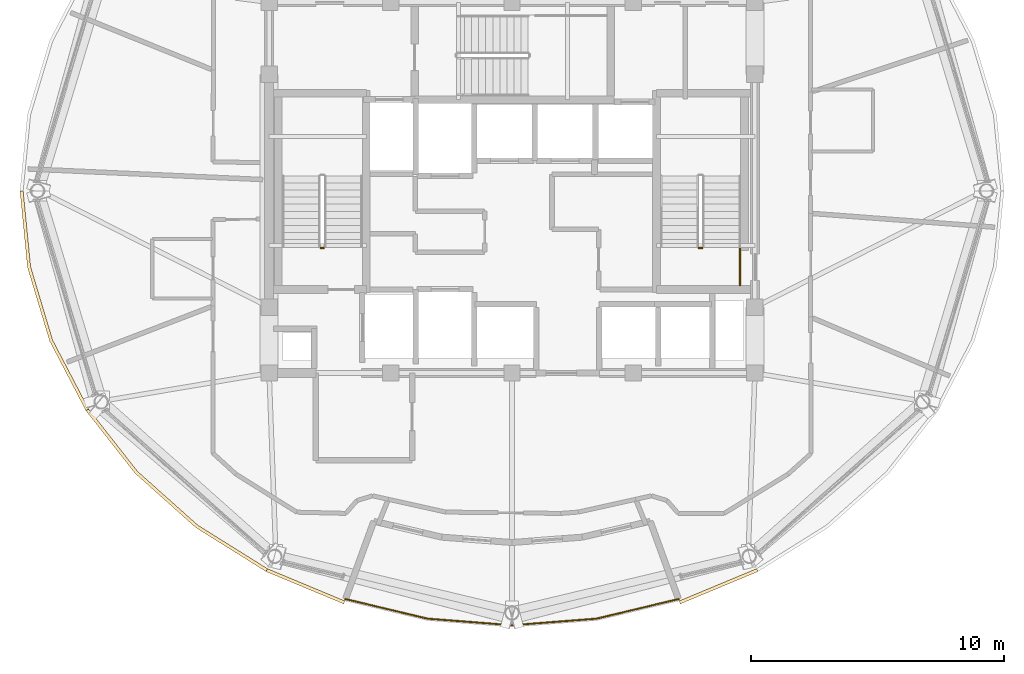
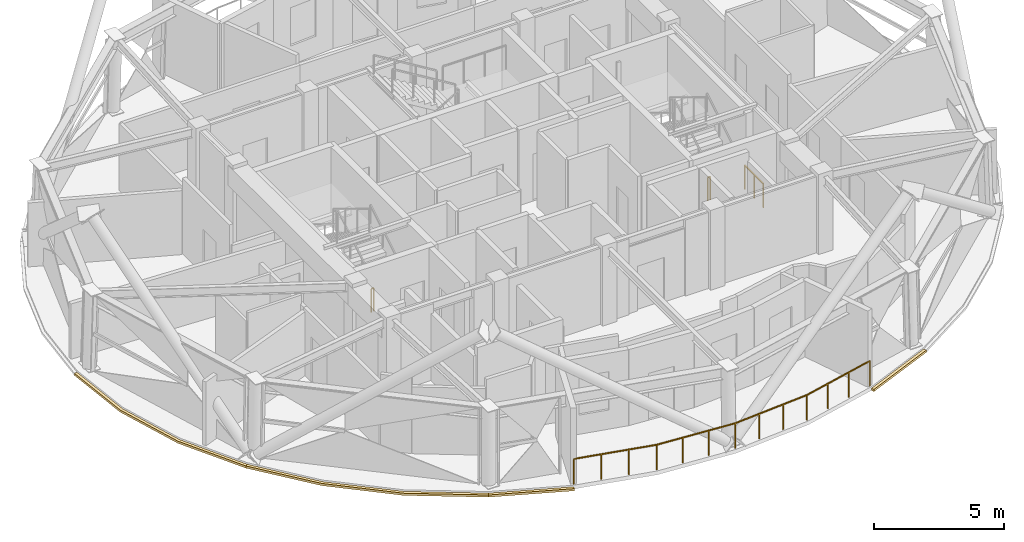
# One storey, part 11 of 13: 4 coverings, 4 railings.
"""IFC4 building model written with IfcOpenShell, lengths in metres."""

import ifcopenshell
import ifcopenshell.guid

model = None  # the IFC model being written
_history = None  # IfcOwnerHistory: only IFC2X3 demands one
_inside = {}  # id of a spatial element -> (the spatial element, [elements in it])
_under = {}  # id of a project, library or spatial element -> (it, [spatial elements below it])
_declared = {}  # id of a project -> (the project, [libraries it declares])
_typed = {}  # id of a type object -> (the type object, [elements of that type])
_made_of = {}  # id of a material, layer set ... -> (it, [elements and type objects made of it])


def new_model(schema):
    """Start an empty IFC model of exactly this schema.

    Asked for "IFC4X3", IfcOpenShell would pick the latest addendum, in which some entities
    have other attributes; the version numbers below select the first issue.
    IFC2X3 requires an IfcOwnerHistory on every rooted entity: one is made here for all.
    """
    global model, _history
    if schema == "IFC4X3":
        model = ifcopenshell.file(schema_version=(4, 3, 0, 0))
    else:
        model = ifcopenshell.file(schema=schema)
    _inside.clear()
    _under.clear()
    _declared.clear()
    _typed.clear()
    _made_of.clear()
    _history = None
    if model.schema == "IFC2X3":
        org = make("IfcOrganization", Name="unknown")
        user = make(
            "IfcPersonAndOrganization",
            ThePerson=make("IfcPerson", FamilyName="unknown"),
            TheOrganization=org,
        )
        app = make(
            "IfcApplication",
            ApplicationDeveloper=org,
            Version="unknown",
            ApplicationFullName="unknown",
            ApplicationIdentifier="unknown",
        )
        _history = make(
            "IfcOwnerHistory",
            OwningUser=user,
            OwningApplication=app,
            ChangeAction="ADDED",
            CreationDate=0,
        )
    return model


def make(cls, **values):
    """One entity of the class cls with the attributes given. An attribute that is None is left unset."""
    return model.create_entity(
        cls, **{name: value for name, value in values.items() if value is not None}
    )


def rooted(cls, **values):
    """An entity with a GlobalId (a new one), such as an element, a storey or a relation."""
    return make(cls, GlobalId=ifcopenshell.guid.new(), OwnerHistory=_history, **values)


def si_unit(unit_type, name, prefix=None):
    """IfcSIUnit, for example si_unit("LENGTHUNIT", "METRE", prefix="MILLI")."""
    return make("IfcSIUnit", UnitType=unit_type, Prefix=prefix, Name=name)


def assignment(units):
    """IfcUnitAssignment: the units of a project."""
    return None if units is None else make("IfcUnitAssignment", Units=units)


def point(xyz):
    """IfcCartesianPoint."""
    return None if xyz is None else make("IfcCartesianPoint", Coordinates=xyz)


def direction(xyz):
    """IfcDirection."""
    return None if xyz is None else make("IfcDirection", DirectionRatios=xyz)


def frame(location, z_axis=None, x_axis=None):
    """IfcAxis2Placement3D, a coordinate frame: its origin and axes. An axis left out is left unset."""
    return make(
        "IfcAxis2Placement3D",
        Location=point(location),
        Axis=direction(z_axis),
        RefDirection=direction(x_axis),
    )


def frame_2d(location, x_axis=None):
    """IfcAxis2Placement2D, a coordinate frame in the plane: its origin and x axis."""
    return make(
        "IfcAxis2Placement2D", Location=point(location), RefDirection=direction(x_axis)
    )


def origin():
    """The frame at (0, 0, 0) with its axes left unset."""
    return frame((0.0, 0.0, 0.0))


def origin_2d():
    """The frame at (0, 0) in the plane with its x axis left unset."""
    return frame_2d((0.0, 0.0))


def place(relative_to, where):
    """IfcLocalPlacement: puts the frame where relative to a parent placement (None: the world)."""
    return make(
        "IfcLocalPlacement", PlacementRelTo=relative_to, RelativePlacement=where
    )


def context(
    kind, dimensions, precision=None, world=None, true_north=None, identifier=None
):
    """IfcGeometricRepresentationContext, for example the 3D "Model" context."""
    return make(
        "IfcGeometricRepresentationContext",
        ContextIdentifier=identifier,
        ContextType=kind,
        CoordinateSpaceDimension=dimensions,
        Precision=precision,
        WorldCoordinateSystem=world,
        TrueNorth=true_north,
    )


def subcontext(parent, identifier, kind, view, scale=None):
    """IfcGeometricRepresentationSubContext, for example "Body" below "Model"."""
    return make(
        "IfcGeometricRepresentationSubContext",
        ContextIdentifier=identifier,
        ContextType=kind,
        ParentContext=parent,
        TargetScale=scale,
        TargetView=view,
    )


def project(units=None, contexts=None):
    """IfcProject with its units and contexts."""
    return rooted(
        "IfcProject",
        Name="project",
        RepresentationContexts=contexts,
        UnitsInContext=assignment(units),
    )


def spatial(cls, under=None, at=None, **own):
    """A site, building, storey or space (cls), placed at a placement, below another one or the project."""
    s = rooted(cls, ObjectPlacement=at, **own)
    if under is not None:
        _under.setdefault(under.id(), (under, []))[1].append(s)
    return s


def polyline(points):
    """IfcPolyline through the points."""
    return make("IfcPolyline", Points=[point(p) for p in points])


def profile(cls, at=None, kind="AREA", **sizes):
    """A parametric profile (cls). Its sizes go by their IFC names, for example OverallWidth=200.0."""
    return make(cls, ProfileType=kind, Position=at, **sizes)


def rectangle(**sizes):
    """IfcRectangleProfileDef."""
    return profile("IfcRectangleProfileDef", **sizes)


def outline(outer, holes=None, kind="AREA"):
    """IfcArbitraryClosedProfileDef: a profile drawn as a closed curve; with holes, ...WithVoids."""
    if holes is None:
        return make("IfcArbitraryClosedProfileDef", ProfileType=kind, OuterCurve=outer)
    return make(
        "IfcArbitraryProfileDefWithVoids",
        ProfileType=kind,
        OuterCurve=outer,
        InnerCurves=holes,
    )


def extrude(swept, where, along, depth):
    """IfcExtrudedAreaSolid: the profile swept, set in the frame where, extruded along a direction by depth."""
    return make(
        "IfcExtrudedAreaSolid",
        SweptArea=swept,
        Position=where,
        ExtrudedDirection=direction(along),
        Depth=depth,
    )


def shape(context_of_items, identifier, shape_type, items):
    """IfcShapeRepresentation: the items that make up one representation, for example the "Body"."""
    return make(
        "IfcShapeRepresentation",
        ContextOfItems=context_of_items,
        RepresentationIdentifier=identifier,
        RepresentationType=shape_type,
        Items=items,
    )


def material(Name=None, Category=None):
    """IfcMaterial."""
    return make("IfcMaterial", Name=Name, Category=Category)


def layer(
    of_material, thickness, ventilated=None, Name=None, Category=None, Priority=None
):
    """IfcMaterialLayer: one layer of a wall or slab, of a material (None: an air gap)."""
    return make(
        "IfcMaterialLayer",
        Material=of_material,
        LayerThickness=thickness,
        IsVentilated=ventilated,
        Name=Name,
        Category=Category,
        Priority=Priority,
    )


def layer_set(layers, Name=None):
    """IfcMaterialLayerSet."""
    return make("IfcMaterialLayerSet", MaterialLayers=layers, LayerSetName=Name)


def made_of(thing, what):
    """Note that an element or type object is made of a material, layer set ...; save() writes the relation."""
    if what is not None:
        _made_of.setdefault(what.id(), (what, []))[1].append(thing)
    return thing


def type_object(cls, material=None, **own):
    """A type object (cls), such as IfcWallType, which elements share."""
    return made_of(rooted(cls, **own), material)


def element(
    cls,
    number,
    at=None,
    inside=None,
    cuts=None,
    type_object=None,
    material=None,
    context=None,
    identifier="Body",
    shape_type=None,
    held_by="IfcProductDefinitionShape",
    body=None,
    shapes=None,
    **own,
):
    """One element of the class cls, such as IfcWall. Its Tag is "e" and its number.

    at: its placement. inside: the storey or other place that contains it. cuts: it is an
    opening in that element (IfcRelVoidsElement). A single representation is given by context,
    identifier, shape_type and body (its items); several are given by shapes. held_by: the class
    of the entity that holds the representations. save() writes the other relations.
    """
    e = rooted(cls, Tag="e%d" % number, ObjectPlacement=at, **own)
    if body is not None:
        shapes = [shape(context, identifier, shape_type, body)]
    if shapes is not None:
        e.Representation = make(held_by, Representations=shapes)
    if inside is not None:
        _inside.setdefault(inside.id(), (inside, []))[1].append(e)
    if cuts is not None:
        rooted(
            "IfcRelVoidsElement", RelatingBuildingElement=cuts, RelatedOpeningElement=e
        )
    if type_object is not None:
        _typed.setdefault(type_object.id(), (type_object, []))[1].append(e)
    return made_of(e, material)


def aggregate(whole, parts):
    """IfcRelAggregates: a whole, such as a stair, and the parts it consists of."""
    return rooted("IfcRelAggregates", RelatingObject=whole, RelatedObjects=parts)


def save(model, path):
    """Write the relations noted so far, then the file.

    IfcRelAggregates (storeys below a building ...), IfcRelContainedInSpatialStructure (elements
    in a storey), IfcRelDefinesByType, IfcRelAssociatesMaterial and IfcRelDeclares: one each for
    every whole, place, type object, material and project.
    """
    for whole, parts in _under.values():
        aggregate(whole, parts)
    for where, things in _inside.values():
        rooted(
            "IfcRelContainedInSpatialStructure",
            RelatedElements=things,
            RelatingStructure=where,
        )
    for kind, things in _typed.values():
        rooted("IfcRelDefinesByType", RelatedObjects=things, RelatingType=kind)
    for what, things in _made_of.values():
        rooted("IfcRelAssociatesMaterial", RelatedObjects=things, RelatingMaterial=what)
    for by, libraries in _declared.values():
        rooted("IfcRelDeclares", RelatingContext=by, RelatedDefinitions=libraries)
    model.write(path)


model = new_model("IFC4")

# Units and contexts
model_context = context("Model", 3, precision=1e-05, world=origin(), true_north=direction((0.0, 1.0)))
body_context = subcontext(model_context, "Body", "Model", "MODEL_VIEW")
ifc_project = project(units=[si_unit("LENGTHUNIT", "METRE"), si_unit("AREAUNIT", "SQUARE_METRE"), si_unit("VOLUMEUNIT", "CUBIC_METRE"), si_unit("PLANEANGLEUNIT", "RADIAN"), si_unit("MASSUNIT", "GRAM", prefix="KILO")], contexts=[model_context])

# Site, building, storey
site_placement = place(None, origin())
site = spatial("IfcSite", under=ifc_project, at=site_placement, CompositionType="ELEMENT")
building_placement = place(site_placement, origin())
building = spatial("IfcBuilding", under=site, at=building_placement, Name="Vantalir Tower", CompositionType="ELEMENT")
storey_placement = place(building_placement, frame((0.0, 0.0, 282.60009765625)))
storey = spatial("IfcBuildingStorey", under=building, at=storey_placement, Name="L71", CompositionType="ELEMENT", Elevation=282.60009765625)

# Coverings
ifc_material_1 = material(Name="Anodised champagne aluminium sill fascia", Category="aluminium")
ifc_layer = layer(ifc_material_1, 0.125)
ifc_layer_set = layer_set([ifc_layer], Name="Anodised champagne aluminium sill fascia")
covering_type = type_object("IfcCoveringType", Name="COV-SLAB-FASCIA-125", PredefinedType="CLADDING", material=ifc_layer_set)
covering_1_placement = place(storey_placement, frame((0.0, 0.0, -0.18017578125)))
element("IfcCovering", 1, at=covering_1_placement, inside=storey, type_object=covering_type, Name="L71 Perimeter Slab-Edge Sill Fascia 07", PredefinedType="CLADDING", context=body_context, shape_type="SweptSolid", body=[
    extrude(outline(polyline([(12.054931640625, 25.0), (12.35009765625, 21.98291015625), (13.22802734375, 19.056884765625), (14.659912109375, 16.31201171875), (14.76806640625, 16.375), (13.344970703125, 19.10009765625), (12.47412109375, 22.0048828125), (12.179931640625, 25.0), (12.054931640625, 25.0)])), origin(), (0.0, 0.0, 1.0), 0.10498046875),
])
covering_2_placement = place(storey_placement, frame((0.0, 0.0, -0.18017578125)))
element("IfcCovering", 2, at=covering_2_placement, inside=storey, type_object=covering_type, Name="L71 Perimeter Slab-Edge Sill Fascia 08", PredefinedType="CLADDING", context=body_context, shape_type="SweptSolid", body=[
    extrude(outline(polyline([(14.659912109375, 16.31201171875), (16.60400390625, 13.83203125), (19.0009765625, 11.68994140625), (21.777099609375, 9.952880859375), (21.840087890625, 10.06103515625), (19.0810546875, 11.785888671875), (16.699951171875, 13.912109375), (14.76806640625, 16.375), (14.659912109375, 16.31201171875)])), origin(), (0.0, 0.0, 1.0), 0.10498046875),
])
covering_3_placement = place(storey_placement, frame((0.0, 0.0, -0.18017578125)))
element("IfcCovering", 3, at=covering_3_placement, inside=storey, type_object=covering_type, Name="L71 Perimeter Slab-Edge Sill Fascia 09", PredefinedType="CLADDING", context=body_context, shape_type="SweptSolid", body=[
    extrude(outline(polyline([(21.777099609375, 9.952880859375), (24.84912109375, 8.673095703125), (24.89208984375, 8.7900390625), (21.840087890625, 10.06103515625), (21.777099609375, 9.952880859375)])), origin(), (0.0, 0.0, 1.0), 0.10498046875),
])
covering_4_placement = place(storey_placement, frame((0.0, 0.0, -0.18017578125)))
element("IfcCovering", 4, at=covering_4_placement, inside=storey, type_object=covering_type, Name="L71 Perimeter Slab-Edge Sill Fascia 10", PredefinedType="CLADDING", context=body_context, shape_type="SweptSolid", body=[
    extrude(outline(polyline([(38.15087890625, 8.673095703125), (41.222900390625, 9.952880859375), (41.159912109375, 10.06103515625), (38.10791015625, 8.7900390625), (38.15087890625, 8.673095703125)])), origin(), (0.0, 0.0, 1.0), 0.10498046875),
])

# Railings
ifc_material_2 = material(Name="Laminated safety glass and champagne-silver balustrade", Category="glass")
railing_type_1 = type_object("IfcRailingType", Name="RAL-BALUSTRADE-1200", PredefinedType="BALUSTRADE", material=ifc_material_2)
railing_1_placement = place(storey_placement, frame((24.919921875, 8.864990234375, 0.0)))
element("IfcRailing", 5, at=railing_1_placement, inside=storey, type_object=railing_type_1, Name="L71 Wind-Portal Edge Balustrade S", PredefinedType="BALUSTRADE", context=body_context, shape_type="SweptSolid", body=[
    extrude(rectangle(XDim=0.048095703125, YDim=0.048095703125, at=origin_2d()), frame((0.0, 0.0, 1.17578125), z_axis=(0.97262105342, -0.232396829678, 0.0), x_axis=(0.232396829678, 0.97262105342, 0.0)), (0.0, 0.0, 1.0), 3.330078125),
    extrude(rectangle(XDim=0.048095703125, YDim=0.048095703125, at=origin_2d()), frame((3.239013671875, -0.77392578125, 1.17578125), z_axis=(0.996962936804, -0.077877484797, 0.0), x_axis=(0.077877484797, 0.996962936804, 0.0)), (0.0, 0.0, 1.0), 3.351318359375),
    extrude(rectangle(XDim=0.048095703125, YDim=0.048095703125, at=origin_2d()), frame((6.580078125, -1.034912109375, 1.17578125), z_axis=(0.996962936804, 0.077877484797, 0.0), x_axis=(-0.077877484797, 0.996962936804, 0.0)), (0.0, 0.0, 1.0), 3.351318359375),
    extrude(rectangle(XDim=0.048095703125, YDim=0.048095703125, at=origin_2d()), frame((9.921142578125, -0.77392578125, 1.17578125), z_axis=(0.97262105342, 0.232396829678, 0.0), x_axis=(-0.232396829678, 0.97262105342, 0.0)), (0.0, 0.0, 1.0), 3.330078125),
    extrude(rectangle(XDim=0.0419921875, YDim=0.0419921875, at=origin_2d()), origin(), (0.0, 0.0, 1.0), 1.15185546875),
    extrude(rectangle(XDim=0.0419921875, YDim=0.0419921875, at=origin_2d()), frame((1.07958984375, -0.258056640625, 0.0)), (0.0, 0.0, 1.0), 1.15185546875),
    extrude(rectangle(XDim=0.0419921875, YDim=0.0419921875, at=origin_2d()), frame((2.159423828125, -0.515869140625, 0.0)), (0.0, 0.0, 1.0), 1.15185546875),
    extrude(rectangle(XDim=0.0419921875, YDim=0.0419921875, at=origin_2d()), frame((3.239013671875, -0.77392578125, 0.0)), (0.0, 0.0, 1.0), 1.15185546875),
    extrude(rectangle(XDim=0.0419921875, YDim=0.0419921875, at=origin_2d()), frame((4.352783203125, -0.86083984375, 0.0)), (0.0, 0.0, 1.0), 1.15185546875),
    extrude(rectangle(XDim=0.0419921875, YDim=0.0419921875, at=origin_2d()), frame((5.46630859375, -0.947998046875, 0.0)), (0.0, 0.0, 1.0), 1.15185546875),
    extrude(rectangle(XDim=0.0419921875, YDim=0.0419921875, at=origin_2d()), frame((6.580078125, -1.034912109375, 0.0)), (0.0, 0.0, 1.0), 1.15185546875),
    extrude(rectangle(XDim=0.0419921875, YDim=0.0419921875, at=origin_2d()), frame((7.69384765625, -0.947998046875, 0.0)), (0.0, 0.0, 1.0), 1.15185546875),
    extrude(rectangle(XDim=0.0419921875, YDim=0.0419921875, at=origin_2d()), frame((8.807373046875, -0.86083984375, 0.0)), (0.0, 0.0, 1.0), 1.15185546875),
    extrude(rectangle(XDim=0.0419921875, YDim=0.0419921875, at=origin_2d()), frame((9.921142578125, -0.77392578125, 0.0)), (0.0, 0.0, 1.0), 1.15185546875),
    extrude(rectangle(XDim=0.0419921875, YDim=0.0419921875, at=origin_2d()), frame((11.000732421875, -0.515869140625, 0.0)), (0.0, 0.0, 1.0), 1.15185546875),
    extrude(rectangle(XDim=0.0419921875, YDim=0.0419921875, at=origin_2d()), frame((12.08056640625, -0.258056640625, 0.0)), (0.0, 0.0, 1.0), 1.15185546875),
    extrude(rectangle(XDim=0.0419921875, YDim=0.0419921875, at=origin_2d()), frame((13.16015625, 0.0, 0.0)), (0.0, 0.0, 1.0), 1.15185546875),
])
ifc_material_3 = material(Name="Anodised aluminium and stainless steel guard", Category="steel")
railing_type_2 = type_object("IfcRailingType", Name="RAL-GUARD-1120", PredefinedType="GUARDRAIL", material=ifc_material_3)
for number, where, name in (
    (6, (24.06005859375, 22.739990234375, 0.0), "L71 ST1 stair guard 4"),
    (7, (39.010009765625, 22.739990234375, 0.0), "L71 ST2 stair guard 4"),
):
    element("IfcRailing", number, at=place(storey_placement, frame(where)), inside=storey, type_object=railing_type_2, Name=name, PredefinedType="GUARDRAIL", context=body_context, shape_type="SweptSolid", body=[
        extrude(rectangle(XDim=0.048095703125, YDim=0.048095703125, at=origin_2d()), frame((0.0, 0.0, 1.09619140625), z_axis=(-1.0, 0.0, 0.0), x_axis=(0.0, -1.0, 0.0)), (0.0, 0.0, 1.0), 0.1201171875),
        extrude(rectangle(XDim=0.0419921875, YDim=0.0419921875, at=origin_2d()), origin(), (0.0, 0.0, 1.0), 1.072021484375),
        extrude(rectangle(XDim=0.0419921875, YDim=0.0419921875, at=origin_2d()), frame((-0.1201171875, 0.0, 0.0)), (0.0, 0.0, 1.0), 1.072021484375),
    ])
railing_2_placement = place(storey_placement, frame((40.510009765625, 21.260009765625, 0.0)))
element("IfcRailing", 8, at=railing_2_placement, inside=storey, type_object=railing_type_2, Name="L71 Stair ST2 Doorway Landing Guard", PredefinedType="GUARDRAIL", context=body_context, shape_type="SweptSolid", body=[
    extrude(rectangle(XDim=0.048095703125, YDim=0.048095703125, at=origin_2d()), frame((0.0, 0.0, 1.1259765625), z_axis=(0.0, 1.0, 0.0), x_axis=(-1.0, 0.0, 0.0)), (0.0, 0.0, 1.0), 1.43994140625),
    extrude(rectangle(XDim=0.0419921875, YDim=0.0419921875, at=origin_2d()), origin(), (0.0, 0.0, 1.0), 1.101806640625),
    extrude(rectangle(XDim=0.0419921875, YDim=0.0419921875, at=origin_2d()), frame((0.0, 0.719970703125, 0.0)), (0.0, 0.0, 1.0), 1.101806640625),
    extrude(rectangle(XDim=0.0419921875, YDim=0.0419921875, at=origin_2d()), frame((0.0, 1.43994140625, 0.0)), (0.0, 0.0, 1.0), 1.101806640625),
])

save(model, "model.ifc")
